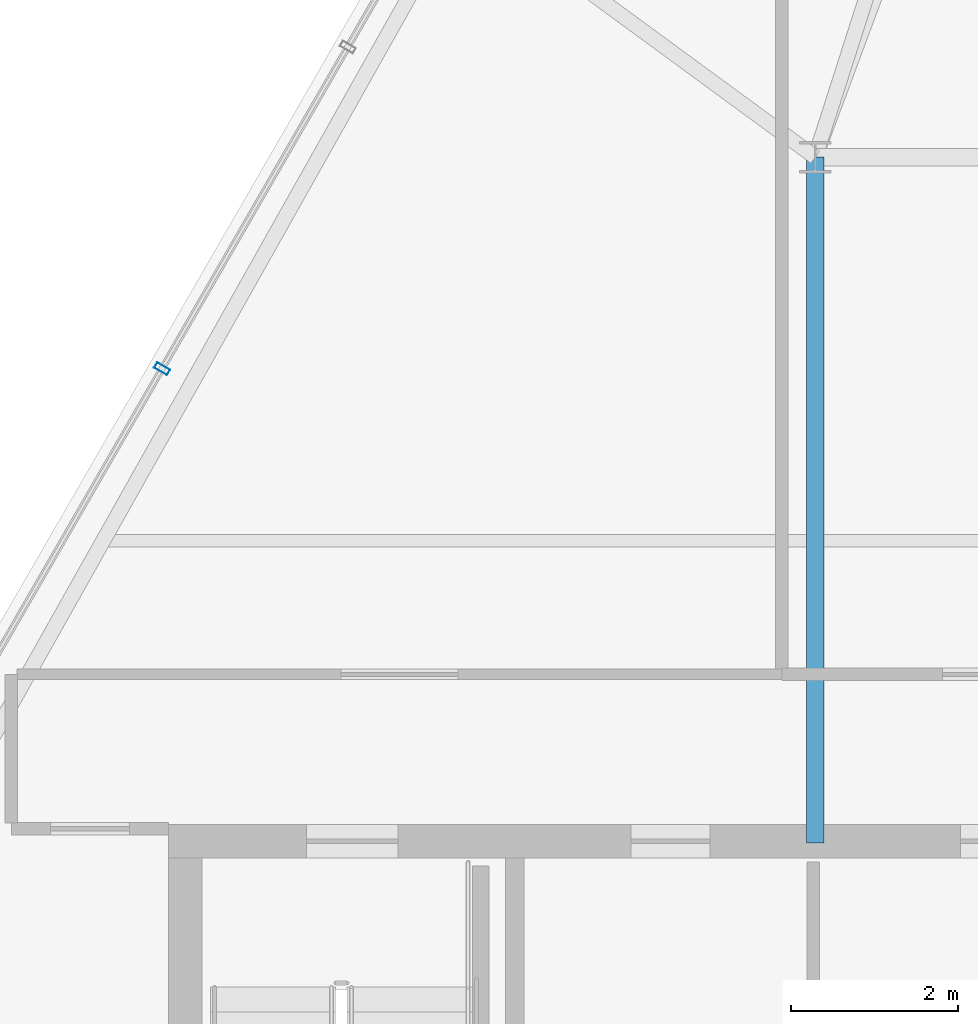
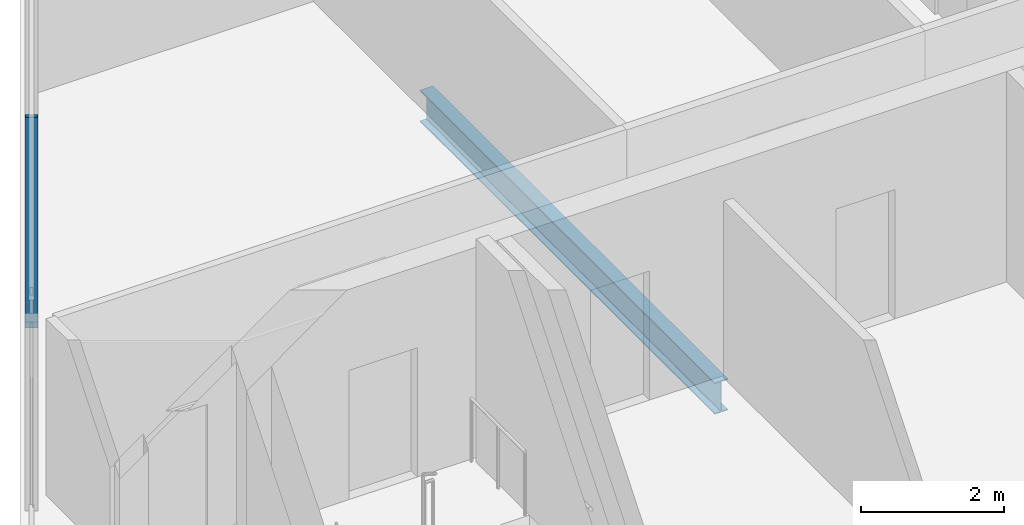
# One storey, part 6 of 32: 1 beam, 1 member, 1 element without a shape of its own.
"""IFC4 building model written with IfcOpenShell, lengths in metres."""

from ifc_helpers import new_model, si_unit, direction, frame, origin, origin_2d, place, context, subcontext, project, spatial, hollow_rectangle, i_section, extrude, material, layer, layer_set, material_profile, profile_set, type_object, element, aggregate, save


model = new_model("IFC4")

# Units and contexts
model_context = context("Model", 3, precision=1e-05, world=origin(), true_north=direction((0.0, 1.0)))
body_context = subcontext(model_context, "Body", "Model", "MODEL_VIEW")
ifc_project = project(units=[si_unit("LENGTHUNIT", "METRE"), si_unit("AREAUNIT", "SQUARE_METRE"), si_unit("VOLUMEUNIT", "CUBIC_METRE"), si_unit("PLANEANGLEUNIT", "RADIAN"), si_unit("MASSUNIT", "GRAM", prefix="KILO")], contexts=[model_context])

# Site, building, storey
site_placement = place(None, origin())
site = spatial("IfcSite", under=ifc_project, at=site_placement, CompositionType="ELEMENT")
building_placement = place(site_placement, origin())
building = spatial("IfcBuilding", under=site, at=building_placement, Name="Ndaravel Arena Tower", CompositionType="ELEMENT")
storey_placement = place(building_placement, frame((0.0, 0.0, 290.89990234375)))
storey = spatial("IfcBuildingStorey", under=building, at=storey_placement, Name="L71", CompositionType="ELEMENT", Elevation=290.89990234375)

# Beam
ifc_material_1 = material(Name="Steel S355", Category="steel")
ifc_material_profile_1 = material_profile(ifc_material_1, i_section(OverallWidth=0.210693359375, OverallDepth=0.53955078125, WebThickness=0.01171875, FlangeThickness=0.018798828125, FilletRadius=0.0126953125, at=origin_2d()), Name="UB 533x210x109")
ifc_profile_set_1 = profile_set([ifc_material_profile_1], Name="Steel S355")
beam_type = type_object("IfcBeamType", Name="BM-GIRD-UB533", PredefinedType="BEAM", material=ifc_profile_set_1)
beam_placement = place(storey_placement, frame((34.199951171875, 14.97998046875, -0.489501953125), z_axis=(0.0, 1.0, 0.0), x_axis=(-1.0, 0.0, 0.0)))
element("IfcBeam", 1, at=beam_placement, inside=storey, type_object=beam_type, Name="L71 Spine Link Girder SLG-01", PredefinedType="BEAM", context=body_context, shape_type="SweptSolid", body=[
    extrude(i_section(OverallWidth=0.210693359375, OverallDepth=0.53955078125, WebThickness=0.01171875, FlangeThickness=0.018798828125, FilletRadius=0.0126953125, at=origin_2d()), origin(), (0.0, 0.0, 1.0), 8.219970703125),
])

# Curtain wall, member
ifc_material_2 = material(Name="Aluminium", Category="aluminium")
ifc_layer = layer(ifc_material_2, 0.179931640625)
ifc_layer_set = layer_set([ifc_layer], Name="Aluminium")
curtain_wall_type = type_object("IfcCurtainWallType", Name="CW-SYS-03", PredefinedType="NOTDEFINED", material=ifc_layer_set)
curtain_wall_placement = place(storey_placement, origin())
curtain_wall = element("IfcCurtainWall", 2, at=curtain_wall_placement, inside=storey, type_object=curtain_wall_type, Name="L71 Faceted Crystal Curtain Wall CW-L71-E05", PredefinedType="NOTDEFINED")
ifc_material_3 = material(Name="Aluminium", Category="aluminium")
ifc_material_profile_2 = material_profile(ifc_material_3, hollow_rectangle(XDim=0.074951171875, YDim=0.179931640625, WallThickness=0.00390625, at=origin_2d()), Name="CW MULLION 75x180x4")
ifc_profile_set_2 = profile_set([ifc_material_profile_2], Name="Aluminium")
member_type = type_object("IfcMemberType", Name="MEM-CW-MUL180", PredefinedType="MULLION", material=ifc_profile_set_2)
member_placement = place(storey_placement, frame((26.370849609375, 20.6630859375, 0.0), z_axis=(0.0, 0.0, 1.0), x_axis=(-0.5, -0.866025403784, 0.0)))
member = element("IfcMember", 3, at=member_placement, type_object=member_type, Name="CW-L71-E05 Mullion 06", PredefinedType="MULLION", context=body_context, shape_type="SweptSolid", body=[
    extrude(hollow_rectangle(XDim=0.074951171875, YDim=0.179931640625, WallThickness=0.00390625, at=origin_2d()), origin(), (0.0, 0.0, 1.0), 3.580078125),
])
aggregate(curtain_wall, [member])

save(model, "model.ifc")
